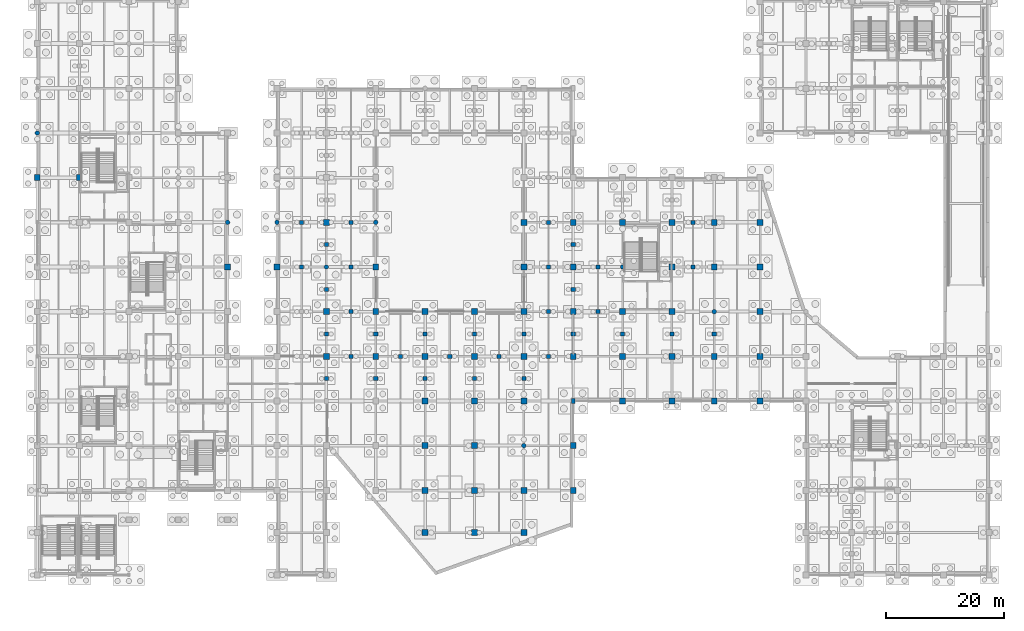
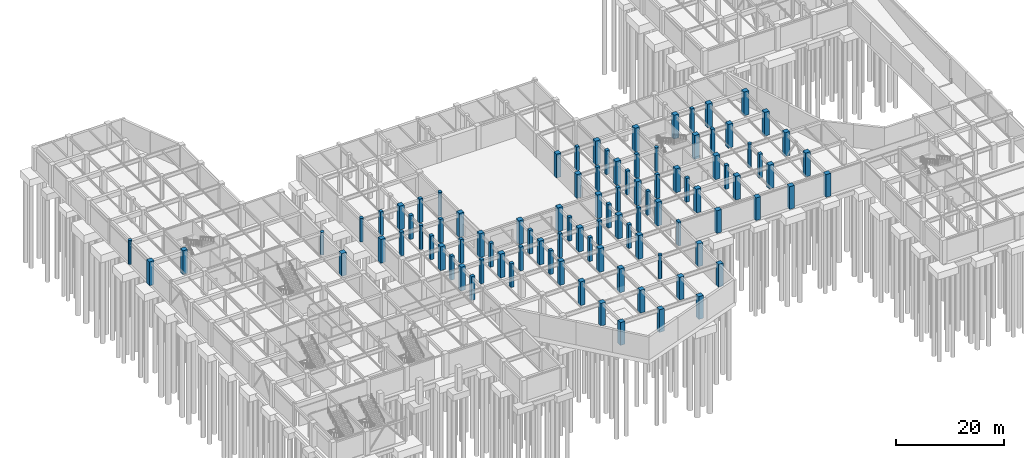
# One storey, part 17 of 52: 97 columns.
"""IFC4 building model written with IfcOpenShell, lengths in metres."""

from ifc_helpers import new_model, si_unit, direction, frame, origin, origin_2d, place, context, subcontext, project, spatial, rectangle, circle, extrude, material, material_profile, profile_set, type_object, element, save


model = new_model("IFC4")

# Units and contexts
model_context = context("Model", 3, precision=1e-05, world=origin(), true_north=direction((0.0, 1.0)))
body_context = subcontext(model_context, "Body", "Model", "MODEL_VIEW")
ifc_project = project(units=[si_unit("LENGTHUNIT", "METRE"), si_unit("AREAUNIT", "SQUARE_METRE"), si_unit("VOLUMEUNIT", "CUBIC_METRE"), si_unit("PLANEANGLEUNIT", "RADIAN"), si_unit("MASSUNIT", "GRAM", prefix="KILO")], contexts=[model_context])

# Site, building, storey
site_placement = place(None, origin())
site = spatial("IfcSite", under=ifc_project, at=site_placement, CompositionType="ELEMENT")
building_placement = place(site_placement, origin())
building = spatial("IfcBuilding", under=site, at=building_placement, Name="Xicomal Pleat Aquarium", CompositionType="ELEMENT")
storey_placement = place(building_placement, frame((0.0, 0.0, -5.39990234375)))
storey = spatial("IfcBuildingStorey", under=building, at=storey_placement, Name="B1", CompositionType="ELEMENT", Elevation=-5.39990234375)

# Columns
ifc_material_1 = material(Name="Concrete C40/50", Category="concrete")
ifc_material_profile_1 = material_profile(ifc_material_1, rectangle(XDim=1.0, YDim=1.0, at=origin_2d()), Name="RC 1000x1000")
ifc_profile_set_1 = profile_set([ifc_material_profile_1], Name="Concrete C40/50")
column_type_1 = type_object("IfcColumnType", Name="COL-RC-1000x1000", PredefinedType="COLUMN", material=ifc_profile_set_1)
for number, where, z_axis, x_axis, name in (
    (1, (3.0, 68.39990234375, 0.0), (0.0, 0.0, 1.0), (1.0, 0.0, 0.0), "B1 column 01/K"),
    (2, (10.199951171875, 68.39990234375, 0.0), (0.0, 0.0, 1.0), (1.0, 0.0, 0.0), "B1 column 02/K"),
):
    element("IfcColumn", number, at=place(storey_placement, frame(where, z_axis=z_axis, x_axis=x_axis)), inside=storey, type_object=column_type_1, Name=name, PredefinedType="COLUMN", context=body_context, shape_type="SweptSolid", body=[
        extrude(rectangle(XDim=1.0, YDim=1.0, at=origin_2d()), origin(), (0.0, 0.0, 1.0), 5.39990234375),
    ])
column_1_placement = place(storey_placement, frame((35.39990234375, 53.199951171875, 0.0), z_axis=(0.0, 0.0, 1.0), x_axis=(1.0, 0.0, 0.0)))
element("IfcColumn", 3, at=column_1_placement, inside=storey, type_object=column_type_1, Name="B1 column 05/H", PredefinedType="COLUMN", context=body_context, shape_type="SweptSolid", body=[
    extrude(rectangle(XDim=1.0, YDim=1.0, at=origin_2d()), origin(), (0.0, 0.0, 1.0), 5.139892578125),
])
for number, where, z_axis, x_axis, name in (
    (4, (43.800048828125, 53.199951171875, 0.0), (0.0, 0.0, 1.0), (1.0, 0.0, 0.0), "B1 column 06/H"),
    (5, (52.199951171875, 38.0, 0.0), (0.0, 0.0, 1.0), (1.0, 0.0, 0.0), "B1 column 07/F"),
    (6, (52.199951171875, 45.60009765625, 0.0), (0.0, 0.0, 1.0), (1.0, 0.0, 0.0), "B1 column 07/G"),
    (7, (52.199951171875, 60.800048828125, 0.0), (0.0, 0.0, 1.0), (1.0, 0.0, 0.0), "B1 column 07/J"),
    (8, (60.60009765625, 38.0, 0.0), (0.0, 0.0, 1.0), (1.0, 0.0, 0.0), "B1 column 08/F"),
    (9, (60.60009765625, 45.60009765625, 0.0), (0.0, 0.0, 1.0), (1.0, 0.0, 0.0), "B1 column 08/G"),
    (10, (60.60009765625, 53.199951171875, 0.0), (0.0, 0.0, 1.0), (1.0, 0.0, 0.0), "B1 column 08/H"),
):
    element("IfcColumn", number, at=place(storey_placement, frame(where, z_axis=z_axis, x_axis=x_axis)), inside=storey, type_object=column_type_1, Name=name, PredefinedType="COLUMN", context=body_context, shape_type="SweptSolid", body=[
        extrude(rectangle(XDim=1.0, YDim=1.0, at=origin_2d()), origin(), (0.0, 0.0, 1.0), 5.39990234375),
    ])
for number, where, z_axis, x_axis, name in (
    (11, (69.0, 8.0, 0.0), (0.0, 0.0, 1.0), (1.0, 0.0, 0.0), "B1 column 09/B"),
    (12, (69.0, 15.199951171875, 0.0), (0.0, 0.0, 1.0), (1.0, 0.0, 0.0), "B1 column 09/C"),
):
    element("IfcColumn", number, at=place(storey_placement, frame(where, z_axis=z_axis, x_axis=x_axis)), inside=storey, type_object=column_type_1, Name=name, PredefinedType="COLUMN", context=body_context, shape_type="SweptSolid", body=[
        extrude(rectangle(XDim=1.0, YDim=1.0, at=origin_2d()), origin(), (0.0, 0.0, 1.0), 5.159912109375),
    ])
for number, where, z_axis, x_axis, name in (
    (13, (69.0, 22.800048828125, 0.0), (0.0, 0.0, 1.0), (1.0, 0.0, 0.0), "B1 column 09/D"),
    (14, (69.0, 30.39990234375, 0.0), (0.0, 0.0, 1.0), (1.0, 0.0, 0.0), "B1 column 09/E"),
    (15, (69.0, 38.0, 0.0), (0.0, 0.0, 1.0), (1.0, 0.0, 0.0), "B1 column 09/F"),
    (16, (69.0, 45.60009765625, 0.0), (0.0, 0.0, 1.0), (1.0, 0.0, 0.0), "B1 column 09/G"),
):
    element("IfcColumn", number, at=place(storey_placement, frame(where, z_axis=z_axis, x_axis=x_axis)), inside=storey, type_object=column_type_1, Name=name, PredefinedType="COLUMN", context=body_context, shape_type="SweptSolid", body=[
        extrude(rectangle(XDim=1.0, YDim=1.0, at=origin_2d()), origin(), (0.0, 0.0, 1.0), 5.39990234375),
    ])
for number, where, z_axis, x_axis, name in (
    (17, (77.39990234375, 8.0, 0.0), (0.0, 0.0, 1.0), (1.0, 0.0, 0.0), "B1 column 10/B"),
    (18, (77.39990234375, 15.199951171875, 0.0), (0.0, 0.0, 1.0), (1.0, 0.0, 0.0), "B1 column 10/C"),
):
    element("IfcColumn", number, at=place(storey_placement, frame(where, z_axis=z_axis, x_axis=x_axis)), inside=storey, type_object=column_type_1, Name=name, PredefinedType="COLUMN", context=body_context, shape_type="SweptSolid", body=[
        extrude(rectangle(XDim=1.0, YDim=1.0, at=origin_2d()), origin(), (0.0, 0.0, 1.0), 5.159912109375),
    ])
for number, where, z_axis, x_axis, name in (
    (19, (77.39990234375, 22.800048828125, 0.0), (0.0, 0.0, 1.0), (1.0, 0.0, 0.0), "B1 column 10/D"),
    (20, (77.39990234375, 30.39990234375, 0.0), (0.0, 0.0, 1.0), (1.0, 0.0, 0.0), "B1 column 10/E"),
    (21, (77.39990234375, 38.0, 0.0), (0.0, 0.0, 1.0), (1.0, 0.0, 0.0), "B1 column 10/F"),
    (22, (77.39990234375, 45.60009765625, 0.0), (0.0, 0.0, 1.0), (1.0, 0.0, 0.0), "B1 column 10/G"),
):
    element("IfcColumn", number, at=place(storey_placement, frame(where, z_axis=z_axis, x_axis=x_axis)), inside=storey, type_object=column_type_1, Name=name, PredefinedType="COLUMN", context=body_context, shape_type="SweptSolid", body=[
        extrude(rectangle(XDim=1.0, YDim=1.0, at=origin_2d()), origin(), (0.0, 0.0, 1.0), 5.39990234375),
    ])
for number, where, z_axis, x_axis, name in (
    (23, (85.800048828125, 8.0, 0.0), (0.0, 0.0, 1.0), (1.0, 0.0, 0.0), "B1 column 11/B"),
    (24, (85.800048828125, 15.199951171875, 0.0), (0.0, 0.0, 1.0), (1.0, 0.0, 0.0), "B1 column 11/C"),
):
    element("IfcColumn", number, at=place(storey_placement, frame(where, z_axis=z_axis, x_axis=x_axis)), inside=storey, type_object=column_type_1, Name=name, PredefinedType="COLUMN", context=body_context, shape_type="SweptSolid", body=[
        extrude(rectangle(XDim=1.0, YDim=1.0, at=origin_2d()), origin(), (0.0, 0.0, 1.0), 5.159912109375),
    ])
for number, where, z_axis, x_axis, name in (
    (25, (85.800048828125, 30.39990234375, 0.0), (0.0, 0.0, 1.0), (1.0, 0.0, 0.0), "B1 column 11/E"),
    (26, (85.800048828125, 38.0, 0.0), (0.0, 0.0, 1.0), (1.0, 0.0, 0.0), "B1 column 11/F"),
    (27, (85.800048828125, 45.60009765625, 0.0), (0.0, 0.0, 1.0), (1.0, 0.0, 0.0), "B1 column 11/G"),
    (28, (85.800048828125, 53.199951171875, 0.0), (0.0, 0.0, 1.0), (1.0, 0.0, 0.0), "B1 column 11/H"),
    (29, (85.800048828125, 60.800048828125, 0.0), (0.0, 0.0, 1.0), (1.0, 0.0, 0.0), "B1 column 11/J"),
):
    element("IfcColumn", number, at=place(storey_placement, frame(where, z_axis=z_axis, x_axis=x_axis)), inside=storey, type_object=column_type_1, Name=name, PredefinedType="COLUMN", context=body_context, shape_type="SweptSolid", body=[
        extrude(rectangle(XDim=1.0, YDim=1.0, at=origin_2d()), origin(), (0.0, 0.0, 1.0), 5.39990234375),
    ])
for number, where, z_axis, x_axis, name in (
    (30, (94.199951171875, 15.199951171875, 0.0), (0.0, 0.0, 1.0), (1.0, 0.0, 0.0), "B1 column 12/C"),
    (31, (94.199951171875, 22.800048828125, 0.0), (0.0, 0.0, 1.0), (1.0, 0.0, 0.0), "B1 column 12/D"),
):
    element("IfcColumn", number, at=place(storey_placement, frame(where, z_axis=z_axis, x_axis=x_axis)), inside=storey, type_object=column_type_1, Name=name, PredefinedType="COLUMN", context=body_context, shape_type="SweptSolid", body=[
        extrude(rectangle(XDim=1.0, YDim=1.0, at=origin_2d()), origin(), (0.0, 0.0, 1.0), 5.159912109375),
    ])
for number, where, z_axis, x_axis, name in (
    (32, (94.199951171875, 38.0, 0.0), (0.0, 0.0, 1.0), (1.0, 0.0, 0.0), "B1 column 12/F"),
    (33, (94.199951171875, 45.60009765625, 0.0), (0.0, 0.0, 1.0), (1.0, 0.0, 0.0), "B1 column 12/G"),
    (34, (94.199951171875, 53.199951171875, 0.0), (0.0, 0.0, 1.0), (1.0, 0.0, 0.0), "B1 column 12/H"),
    (35, (94.199951171875, 60.800048828125, 0.0), (0.0, 0.0, 1.0), (1.0, 0.0, 0.0), "B1 column 12/J"),
):
    element("IfcColumn", number, at=place(storey_placement, frame(where, z_axis=z_axis, x_axis=x_axis)), inside=storey, type_object=column_type_1, Name=name, PredefinedType="COLUMN", context=body_context, shape_type="SweptSolid", body=[
        extrude(rectangle(XDim=1.0, YDim=1.0, at=origin_2d()), origin(), (0.0, 0.0, 1.0), 5.39990234375),
    ])
column_2_placement = place(storey_placement, frame((102.60009765625, 30.39990234375, 0.0), z_axis=(0.0, 0.0, 1.0), x_axis=(1.0, 0.0, 0.0)))
element("IfcColumn", 36, at=column_2_placement, inside=storey, type_object=column_type_1, Name="B1 column 13/E", PredefinedType="COLUMN", context=body_context, shape_type="SweptSolid", body=[
    extrude(rectangle(XDim=1.0, YDim=1.0, at=origin_2d()), origin(), (0.0, 0.0, 1.0), 5.139892578125),
])
for number, where, z_axis, x_axis, name in (
    (37, (102.60009765625, 38.0, 0.0), (0.0, 0.0, 1.0), (1.0, 0.0, 0.0), "B1 column 13/F"),
    (38, (102.60009765625, 45.60009765625, 0.0), (0.0, 0.0, 1.0), (1.0, 0.0, 0.0), "B1 column 13/G"),
    (39, (102.60009765625, 60.800048828125, 0.0), (0.0, 0.0, 1.0), (1.0, 0.0, 0.0), "B1 column 13/J"),
):
    element("IfcColumn", number, at=place(storey_placement, frame(where, z_axis=z_axis, x_axis=x_axis)), inside=storey, type_object=column_type_1, Name=name, PredefinedType="COLUMN", context=body_context, shape_type="SweptSolid", body=[
        extrude(rectangle(XDim=1.0, YDim=1.0, at=origin_2d()), origin(), (0.0, 0.0, 1.0), 5.39990234375),
    ])
column_3_placement = place(storey_placement, frame((111.0, 30.39990234375, 0.0), z_axis=(0.0, 0.0, 1.0), x_axis=(1.0, 0.0, 0.0)))
element("IfcColumn", 40, at=column_3_placement, inside=storey, type_object=column_type_1, Name="B1 column 14/E", PredefinedType="COLUMN", context=body_context, shape_type="SweptSolid", body=[
    extrude(rectangle(XDim=1.0, YDim=1.0, at=origin_2d()), origin(), (0.0, 0.0, 1.0), 5.139892578125),
])
for number, where, z_axis, x_axis, name in (
    (41, (111.0, 38.0, 0.0), (0.0, 0.0, 1.0), (1.0, 0.0, 0.0), "B1 column 14/F"),
    (42, (111.0, 45.60009765625, 0.0), (0.0, 0.0, 1.0), (1.0, 0.0, 0.0), "B1 column 14/G"),
    (43, (111.0, 53.199951171875, 0.0), (0.0, 0.0, 1.0), (1.0, 0.0, 0.0), "B1 column 14/H"),
    (44, (111.0, 60.800048828125, 0.0), (0.0, 0.0, 1.0), (1.0, 0.0, 0.0), "B1 column 14/J"),
):
    element("IfcColumn", number, at=place(storey_placement, frame(where, z_axis=z_axis, x_axis=x_axis)), inside=storey, type_object=column_type_1, Name=name, PredefinedType="COLUMN", context=body_context, shape_type="SweptSolid", body=[
        extrude(rectangle(XDim=1.0, YDim=1.0, at=origin_2d()), origin(), (0.0, 0.0, 1.0), 5.39990234375),
    ])
column_4_placement = place(storey_placement, frame((118.199951171875, 30.39990234375, 0.0), z_axis=(0.0, 0.0, 1.0), x_axis=(1.0, 0.0, 0.0)))
element("IfcColumn", 45, at=column_4_placement, inside=storey, type_object=column_type_1, Name="B1 column 15/E", PredefinedType="COLUMN", context=body_context, shape_type="SweptSolid", body=[
    extrude(rectangle(XDim=1.0, YDim=1.0, at=origin_2d()), origin(), (0.0, 0.0, 1.0), 5.139892578125),
])
for number, where, z_axis, x_axis, name in (
    (46, (118.199951171875, 38.0, 0.0), (0.0, 0.0, 1.0), (1.0, 0.0, 0.0), "B1 column 15/F"),
    (47, (118.199951171875, 53.199951171875, 0.0), (0.0, 0.0, 1.0), (1.0, 0.0, 0.0), "B1 column 15/H"),
    (48, (118.199951171875, 60.800048828125, 0.0), (0.0, 0.0, 1.0), (1.0, 0.0, 0.0), "B1 column 15/J"),
):
    element("IfcColumn", number, at=place(storey_placement, frame(where, z_axis=z_axis, x_axis=x_axis)), inside=storey, type_object=column_type_1, Name=name, PredefinedType="COLUMN", context=body_context, shape_type="SweptSolid", body=[
        extrude(rectangle(XDim=1.0, YDim=1.0, at=origin_2d()), origin(), (0.0, 0.0, 1.0), 5.39990234375),
    ])
column_5_placement = place(storey_placement, frame((126.0, 30.39990234375, 0.0), z_axis=(0.0, 0.0, 1.0), x_axis=(1.0, 0.0, 0.0)))
element("IfcColumn", 49, at=column_5_placement, inside=storey, type_object=column_type_1, Name="B1 column 16/E", PredefinedType="COLUMN", context=body_context, shape_type="SweptSolid", body=[
    extrude(rectangle(XDim=1.0, YDim=1.0, at=origin_2d()), origin(), (0.0, 0.0, 1.0), 5.139892578125),
])
for number, where, z_axis, x_axis, name in (
    (50, (126.0, 38.0, 0.0), (0.0, 0.0, 1.0), (1.0, 0.0, 0.0), "B1 column 16/F"),
    (51, (126.0, 45.60009765625, 0.0), (0.0, 0.0, 1.0), (1.0, 0.0, 0.0), "B1 column 16/G"),
    (52, (126.0, 53.199951171875, 0.0), (0.0, 0.0, 1.0), (1.0, 0.0, 0.0), "B1 column 16/H"),
    (53, (126.0, 60.800048828125, 0.0), (0.0, 0.0, 1.0), (1.0, 0.0, 0.0), "B1 column 16/J"),
):
    element("IfcColumn", number, at=place(storey_placement, frame(where, z_axis=z_axis, x_axis=x_axis)), inside=storey, type_object=column_type_1, Name=name, PredefinedType="COLUMN", context=body_context, shape_type="SweptSolid", body=[
        extrude(rectangle(XDim=1.0, YDim=1.0, at=origin_2d()), origin(), (0.0, 0.0, 1.0), 5.39990234375),
    ])
ifc_material_2 = material(Name="Concrete C40/50", Category="concrete")
ifc_material_profile_2 = material_profile(ifc_material_2, rectangle(XDim=0.60009765625, YDim=0.89990234375, at=origin_2d()), Name="RC 600x900")
ifc_profile_set_2 = profile_set([ifc_material_profile_2], Name="Concrete C40/50")
column_type_2 = type_object("IfcColumnType", Name="COL-RC-600x900", PredefinedType="COLUMN", material=ifc_profile_set_2)
column_6_placement = place(storey_placement, frame((94.199951171875, 30.39990234375, 0.0), z_axis=(0.0, 0.0, 1.0), x_axis=(1.0, 0.0, 0.0)))
element("IfcColumn", 54, at=column_6_placement, inside=storey, type_object=column_type_2, Name="B1 column 12/E", PredefinedType="COLUMN", context=body_context, shape_type="SweptSolid", body=[
    extrude(rectangle(XDim=0.60009765625, YDim=0.89990234375, at=origin_2d()), origin(), (0.0, 0.0, 1.0), 5.39990234375),
])
ifc_material_3 = material(Name="Concrete C40/50", Category="concrete")
ifc_material_profile_3 = material_profile(ifc_material_3, rectangle(XDim=0.699951171875, YDim=0.699951171875, at=origin_2d()), Name="RC 700x700")
ifc_profile_set_3 = profile_set([ifc_material_profile_3], Name="Concrete C40/50")
column_type_3 = type_object("IfcColumnType", Name="COL-RC-700x700", PredefinedType="COLUMN", material=ifc_profile_set_3)
for number, where, z_axis, x_axis, name in (
    (55, (48.0, 53.199951171875, 0.0), (0.0, 0.0, 1.0), (1.0, 0.0, 0.0), "B1 intermediate support column SUB-03"),
    (56, (48.0, 60.800048828125, 0.0), (0.0, 0.0, 1.0), (1.0, 0.0, 0.0), "B1 intermediate support column SUB-04"),
    (57, (56.39990234375, 38.0, 0.0), (0.0, 0.0, 1.0), (1.0, 0.0, 0.0), "B1 intermediate support column SUB-06"),
    (58, (56.39990234375, 45.60009765625, 0.0), (0.0, 0.0, 1.0), (1.0, 0.0, 0.0), "B1 intermediate support column SUB-07"),
    (59, (56.39990234375, 53.199951171875, 0.0), (0.0, 0.0, 1.0), (1.0, 0.0, 0.0), "B1 intermediate support column SUB-08"),
    (60, (56.39990234375, 60.800048828125, 0.0), (0.0, 0.0, 1.0), (1.0, 0.0, 0.0), "B1 intermediate support column SUB-09"),
    (61, (64.800048828125, 38.0, 0.0), (0.0, 0.0, 1.0), (1.0, 0.0, 0.0), "B1 intermediate support column SUB-11"),
    (62, (73.199951171875, 38.0, 0.0), (0.0, 0.0, 1.0), (1.0, 0.0, 0.0), "B1 intermediate support column SUB-12"),
    (63, (81.60009765625, 38.0, 0.0), (0.0, 0.0, 1.0), (1.0, 0.0, 0.0), "B1 intermediate support column SUB-13"),
    (64, (90.0, 38.0, 0.0), (0.0, 0.0, 1.0), (1.0, 0.0, 0.0), "B1 intermediate support column SUB-14"),
    (65, (90.0, 45.60009765625, 0.0), (0.0, 0.0, 1.0), (1.0, 0.0, 0.0), "B1 intermediate support column SUB-15"),
    (66, (90.0, 53.199951171875, 0.0), (0.0, 0.0, 1.0), (1.0, 0.0, 0.0), "B1 intermediate support column SUB-16"),
    (67, (90.0, 60.800048828125, 0.0), (0.0, 0.0, 1.0), (1.0, 0.0, 0.0), "B1 intermediate support column SUB-17"),
    (68, (98.39990234375, 45.60009765625, 0.0), (0.0, 0.0, 1.0), (1.0, 0.0, 0.0), "B1 intermediate support column SUB-20"),
    (69, (98.39990234375, 53.199951171875, 0.0), (0.0, 0.0, 1.0), (1.0, 0.0, 0.0), "B1 intermediate support column SUB-21"),
    (70, (114.60009765625, 53.199951171875, 0.0), (0.0, 0.0, 1.0), (1.0, 0.0, 0.0), "B1 intermediate support column SUB-22"),
    (71, (114.60009765625, 60.800048828125, 0.0), (0.0, 0.0, 1.0), (1.0, 0.0, 0.0), "B1 intermediate support column SUB-23"),
    (72, (52.199951171875, 34.199951171875, 0.0), (0.0, 0.0, 1.0), (1.0, 0.0, 0.0), "B1 intermediate support column SUB-34"),
    (73, (52.199951171875, 41.800048828125, 0.0), (0.0, 0.0, 1.0), (1.0, 0.0, 0.0), "B1 intermediate support column SUB-35"),
    (74, (52.199951171875, 49.39990234375, 0.0), (0.0, 0.0, 1.0), (1.0, 0.0, 0.0), "B1 intermediate support column SUB-36"),
    (75, (52.199951171875, 57.0, 0.0), (0.0, 0.0, 1.0), (1.0, 0.0, 0.0), "B1 intermediate support column SUB-37"),
    (76, (60.60009765625, 34.199951171875, 0.0), (0.0, 0.0, 1.0), (1.0, 0.0, 0.0), "B1 intermediate support column SUB-41"),
    (77, (60.60009765625, 41.800048828125, 0.0), (0.0, 0.0, 1.0), (1.0, 0.0, 0.0), "B1 intermediate support column SUB-42"),
    (78, (69.0, 34.199951171875, 0.0), (0.0, 0.0, 1.0), (1.0, 0.0, 0.0), "B1 intermediate support column SUB-44"),
    (79, (69.0, 41.800048828125, 0.0), (0.0, 0.0, 1.0), (1.0, 0.0, 0.0), "B1 intermediate support column SUB-45"),
    (80, (77.39990234375, 34.199951171875, 0.0), (0.0, 0.0, 1.0), (1.0, 0.0, 0.0), "B1 intermediate support column SUB-47"),
    (81, (77.39990234375, 41.800048828125, 0.0), (0.0, 0.0, 1.0), (1.0, 0.0, 0.0), "B1 intermediate support column SUB-48"),
    (82, (85.800048828125, 34.199951171875, 0.0), (0.0, 0.0, 1.0), (1.0, 0.0, 0.0), "B1 intermediate support column SUB-50"),
    (83, (85.800048828125, 41.800048828125, 0.0), (0.0, 0.0, 1.0), (1.0, 0.0, 0.0), "B1 intermediate support column SUB-51"),
    (84, (94.199951171875, 41.800048828125, 0.0), (0.0, 0.0, 1.0), (1.0, 0.0, 0.0), "B1 intermediate support column SUB-53"),
    (85, (94.199951171875, 49.39990234375, 0.0), (0.0, 0.0, 1.0), (1.0, 0.0, 0.0), "B1 intermediate support column SUB-54"),
    (86, (94.199951171875, 57.0, 0.0), (0.0, 0.0, 1.0), (1.0, 0.0, 0.0), "B1 intermediate support column SUB-55"),
    (87, (102.60009765625, 41.800048828125, 0.0), (0.0, 0.0, 1.0), (1.0, 0.0, 0.0), "B1 intermediate support column SUB-56"),
    (88, (111.0, 41.800048828125, 0.0), (0.0, 0.0, 1.0), (1.0, 0.0, 0.0), "B1 intermediate support column SUB-58"),
    (89, (118.199951171875, 41.800048828125, 0.0), (0.0, 0.0, 1.0), (1.0, 0.0, 0.0), "B1 intermediate support column SUB-60"),
):
    element("IfcColumn", number, at=place(storey_placement, frame(where, z_axis=z_axis, x_axis=x_axis)), inside=storey, type_object=column_type_3, Name=name, PredefinedType="COLUMN", context=body_context, shape_type="SweptSolid", body=[
        extrude(rectangle(XDim=0.699951171875, YDim=0.699951171875, at=origin_2d()), origin(), (0.0, 0.0, 1.0), 5.39990234375),
    ])
ifc_material_4 = material(Name="Concrete C40/50", Category="concrete")
ifc_material_profile_4 = material_profile(ifc_material_4, circle(Radius=0.375, at=origin_2d()), Name="RCC D750")
ifc_profile_set_4 = profile_set([ifc_material_profile_4], Name="Concrete C40/50")
column_type_4 = type_object("IfcColumnType", Name="COL-RCC-D750", PredefinedType="COLUMN", material=ifc_profile_set_4)
column_7_placement = place(storey_placement, frame((3.0, 76.0, 0.0), z_axis=(0.0, 0.0, 1.0), x_axis=(1.0, 0.0, 0.0)))
element("IfcColumn", 90, at=column_7_placement, inside=storey, type_object=column_type_4, Name="B1 column 01/L", PredefinedType="COLUMN", context=body_context, shape_type="SweptSolid", body=[
    extrude(circle(Radius=0.375, at=origin_2d()), origin(), (0.0, 0.0, 1.0), 5.39990234375),
])
column_8_placement = place(storey_placement, frame((35.39990234375, 60.800048828125, 0.0), z_axis=(0.0, 0.0, 1.0), x_axis=(1.0, 0.0, 0.0)))
element("IfcColumn", 91, at=column_8_placement, inside=storey, type_object=column_type_4, Name="B1 column 05/J", PredefinedType="COLUMN", context=body_context, shape_type="SweptSolid", body=[
    extrude(circle(Radius=0.375, at=origin_2d()), origin(), (0.0, 0.0, 1.0), 5.139892578125),
])
for number, where, z_axis, x_axis, name in (
    (92, (43.800048828125, 60.800048828125, 0.0), (0.0, 0.0, 1.0), (1.0, 0.0, 0.0), "B1 column 06/J"),
    (93, (52.199951171875, 53.199951171875, 0.0), (0.0, 0.0, 1.0), (1.0, 0.0, 0.0), "B1 column 07/H"),
    (94, (60.60009765625, 60.800048828125, 0.0), (0.0, 0.0, 1.0), (1.0, 0.0, 0.0), "B1 column 08/J"),
    (95, (85.800048828125, 22.800048828125, 0.0), (0.0, 0.0, 1.0), (1.0, 0.0, 0.0), "B1 column 11/D"),
    (96, (102.60009765625, 53.199951171875, 0.0), (0.0, 0.0, 1.0), (1.0, 0.0, 0.0), "B1 column 13/H"),
    (97, (118.199951171875, 45.60009765625, 0.0), (0.0, 0.0, 1.0), (1.0, 0.0, 0.0), "B1 column 15/G"),
):
    element("IfcColumn", number, at=place(storey_placement, frame(where, z_axis=z_axis, x_axis=x_axis)), inside=storey, type_object=column_type_4, Name=name, PredefinedType="COLUMN", context=body_context, shape_type="SweptSolid", body=[
        extrude(circle(Radius=0.375, at=origin_2d()), origin(), (0.0, 0.0, 1.0), 5.39990234375),
    ])

save(model, "model.ifc")
